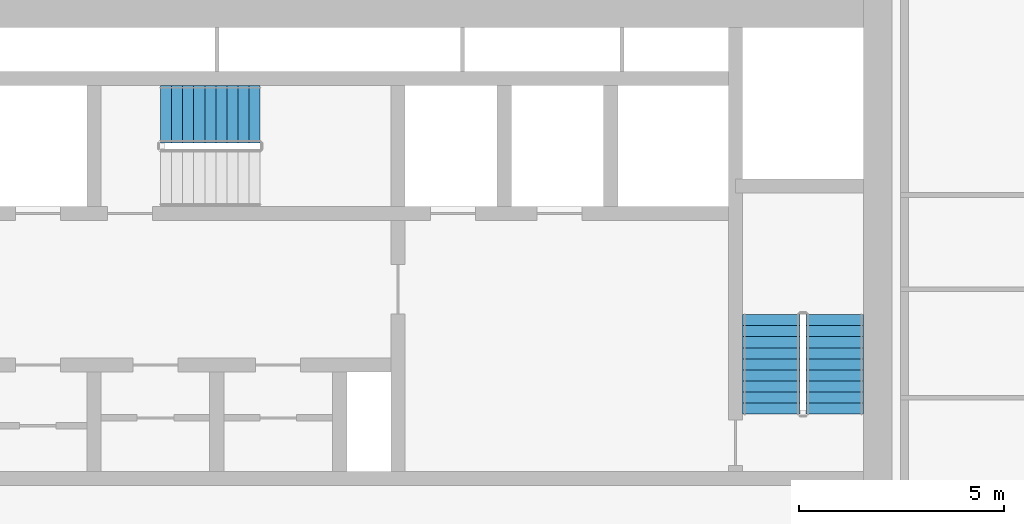
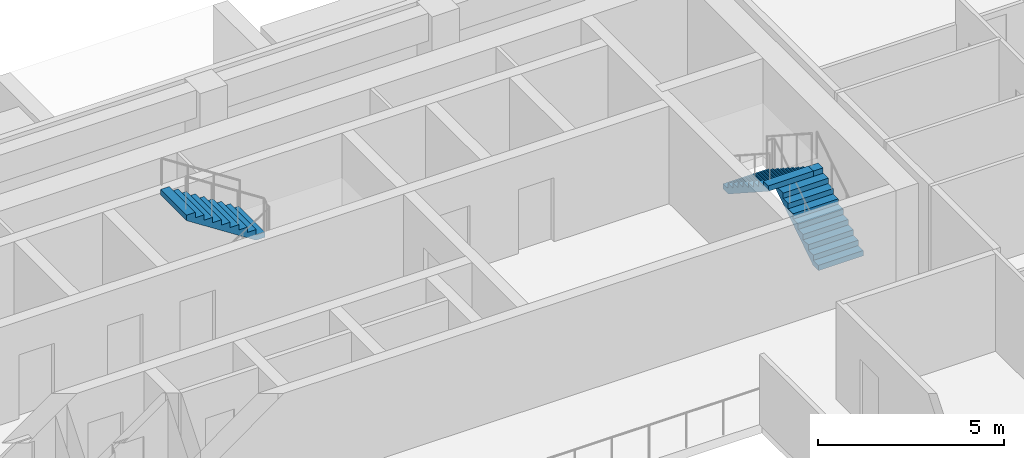
# One storey, part 13 of 20: 3 stair flights, 2 elements without a shape of their own.
"""IFC4 building model written with IfcOpenShell, lengths in metres."""

from ifc_helpers import new_model, si_unit, direction, frame, origin, place, context, subcontext, project, spatial, polyline, outline, extrude, material, layer, layer_set, type_object, element, aggregate, save


model = new_model("IFC4")

# Units and contexts
model_context = context("Model", 3, precision=1e-05, world=origin(), true_north=direction((0.0, 1.0)))
body_context = subcontext(model_context, "Body", "Model", "MODEL_VIEW")
ifc_project = project(units=[si_unit("LENGTHUNIT", "METRE"), si_unit("AREAUNIT", "SQUARE_METRE"), si_unit("VOLUMEUNIT", "CUBIC_METRE"), si_unit("PLANEANGLEUNIT", "RADIAN"), si_unit("MASSUNIT", "GRAM", prefix="KILO")], contexts=[model_context])

# Site, building, storey
site_placement = place(None, origin())
site = spatial("IfcSite", under=ifc_project, at=site_placement, CompositionType="ELEMENT")
building_placement = place(site_placement, origin())
building = spatial("IfcBuilding", under=site, at=building_placement, Name="Saffron Iwan Residences", CompositionType="ELEMENT")
storey_placement = place(building_placement, frame((0.0, 0.0, 146.5)))
storey = spatial("IfcBuildingStorey", under=building, at=storey_placement, Name="L38", CompositionType="ELEMENT", Elevation=146.5)

# Stair, stair flight
ifc_material = material(Name="Concrete C50/60", Category="concrete")
stair_type = type_object("IfcStairType", Name="Stair ST-CORE", PredefinedType="HALF_TURN_STAIR", material=ifc_material)
stair_1_placement = place(storey_placement, origin())
stair_1 = element("IfcStair", 1, at=stair_1_placement, inside=storey, type_object=stair_type, Name="L38 Exit Stair ST-C", PredefinedType="HALF_TURN_STAIR")
ifc_layer = layer(ifc_material, 0.14990234375)
ifc_layer_set = layer_set([ifc_layer], Name="Concrete C50/60")
stair_flight_type = type_object("IfcStairFlightType", Name="Stair flight SFL-RC", PredefinedType="STRAIGHT", material=ifc_layer_set)
stair_flight_1_placement = place(storey_placement, frame((56.35498046875, 75.175048828125, 1.75), z_axis=(0.0, 0.0, 1.0), x_axis=(-1.0, 0.0, 0.0)))
stair_flight_1 = element("IfcStairFlight", 2, at=stair_flight_1_placement, type_object=stair_flight_type, Name="ST-C flight 2", NumberOfRisers=10, NumberOfTreads=9, PredefinedType="STRAIGHT", RiserHeight=0.175, TreadLength=0.27, context=body_context, shape_type="SweptSolid", body=[
    extrude(outline(polyline([(0.0, 0.0), (0.0, 0.175048828125), (0.27001953125, 0.175048828125), (0.27001953125, 0.35009765625), (0.5400390625, 0.35009765625), (0.5400390625, 0.52490234375), (0.81005859375, 0.52490234375), (0.81005859375, 0.699951171875), (1.080078125, 0.699951171875), (1.080078125, 0.875), (1.35009765625, 0.875), (1.35009765625, 1.050048828125), (1.6201171875, 1.050048828125), (1.6201171875, 1.22509765625), (1.889892578125, 1.22509765625), (1.889892578125, 1.39990234375), (2.159912109375, 1.39990234375), (2.159912109375, 1.574951171875), (2.429931640625, 1.574951171875), (2.429931640625, 1.75), (2.429931640625, 1.396484375), (0.275634765625, 0.0), (0.0, 0.0)])), frame((0.0, 0.699951171875, 0.0), z_axis=(0.0, -1.0, 0.0), x_axis=(1.0, 0.0, 0.0)), (0.0, 0.0, 1.0), 1.39990234375),
])
aggregate(stair_1, [stair_flight_1])

# Stair, stair flights
stair_2_placement = place(storey_placement, origin())
stair_2 = element("IfcStair", 3, at=stair_2_placement, inside=storey, type_object=stair_type, Name="L38 Exit Stair ST-E", PredefinedType="HALF_TURN_STAIR")
stair_flight_2_placement = place(storey_placement, frame((70.39990234375, 67.85009765625, 0.0), z_axis=(0.0, 0.0, 1.0), x_axis=(0.0, 1.0, 0.0)))
stair_flight_2 = element("IfcStairFlight", 4, at=stair_flight_2_placement, type_object=stair_flight_type, Name="ST-E flight 1", NumberOfRisers=10, NumberOfTreads=9, PredefinedType="STRAIGHT", RiserHeight=0.175, TreadLength=0.27, context=body_context, shape_type="SweptSolid", body=[
    extrude(outline(polyline([(0.0, 0.0), (0.0, 0.175048828125), (0.27001953125, 0.175048828125), (0.27001953125, 0.35009765625), (0.5400390625, 0.35009765625), (0.5400390625, 0.52490234375), (0.81005859375, 0.52490234375), (0.81005859375, 0.699951171875), (1.080078125, 0.699951171875), (1.080078125, 0.875), (1.35009765625, 0.875), (1.35009765625, 1.050048828125), (1.6201171875, 1.050048828125), (1.6201171875, 1.22509765625), (1.889892578125, 1.22509765625), (1.889892578125, 1.39990234375), (2.159912109375, 1.39990234375), (2.159912109375, 1.574951171875), (2.429931640625, 1.574951171875), (2.429931640625, 1.75), (2.429931640625, 1.396484375), (0.275634765625, 0.0), (0.0, 0.0)])), frame((0.0, 0.699951171875, 0.0), z_axis=(0.0, -1.0, 0.0), x_axis=(1.0, 0.0, 0.0)), (0.0, 0.0, 1.0), 1.39990234375),
])
stair_flight_3_placement = place(storey_placement, frame((68.85009765625, 70.280029296875, 1.75), z_axis=(0.0, 0.0, 1.0), x_axis=(0.0, -1.0, 0.0)))
stair_flight_3 = element("IfcStairFlight", 5, at=stair_flight_3_placement, type_object=stair_flight_type, Name="ST-E flight 2", NumberOfRisers=10, NumberOfTreads=9, PredefinedType="STRAIGHT", RiserHeight=0.175, TreadLength=0.27, context=body_context, shape_type="SweptSolid", body=[
    extrude(outline(polyline([(0.0, 0.0), (0.0, 0.175048828125), (0.27001953125, 0.175048828125), (0.27001953125, 0.35009765625), (0.5400390625, 0.35009765625), (0.5400390625, 0.52490234375), (0.81005859375, 0.52490234375), (0.81005859375, 0.699951171875), (1.080078125, 0.699951171875), (1.080078125, 0.875), (1.35009765625, 0.875), (1.35009765625, 1.050048828125), (1.6201171875, 1.050048828125), (1.6201171875, 1.22509765625), (1.889892578125, 1.22509765625), (1.889892578125, 1.39990234375), (2.159912109375, 1.39990234375), (2.159912109375, 1.574951171875), (2.429931640625, 1.574951171875), (2.429931640625, 1.75), (2.429931640625, 1.396484375), (0.275634765625, 0.0), (0.0, 0.0)])), frame((0.0, 0.699951171875, 0.0), z_axis=(0.0, -1.0, 0.0), x_axis=(1.0, 0.0, 0.0)), (0.0, 0.0, 1.0), 1.39990234375),
])
aggregate(stair_2, [stair_flight_2, stair_flight_3])

save(model, "model.ifc")
